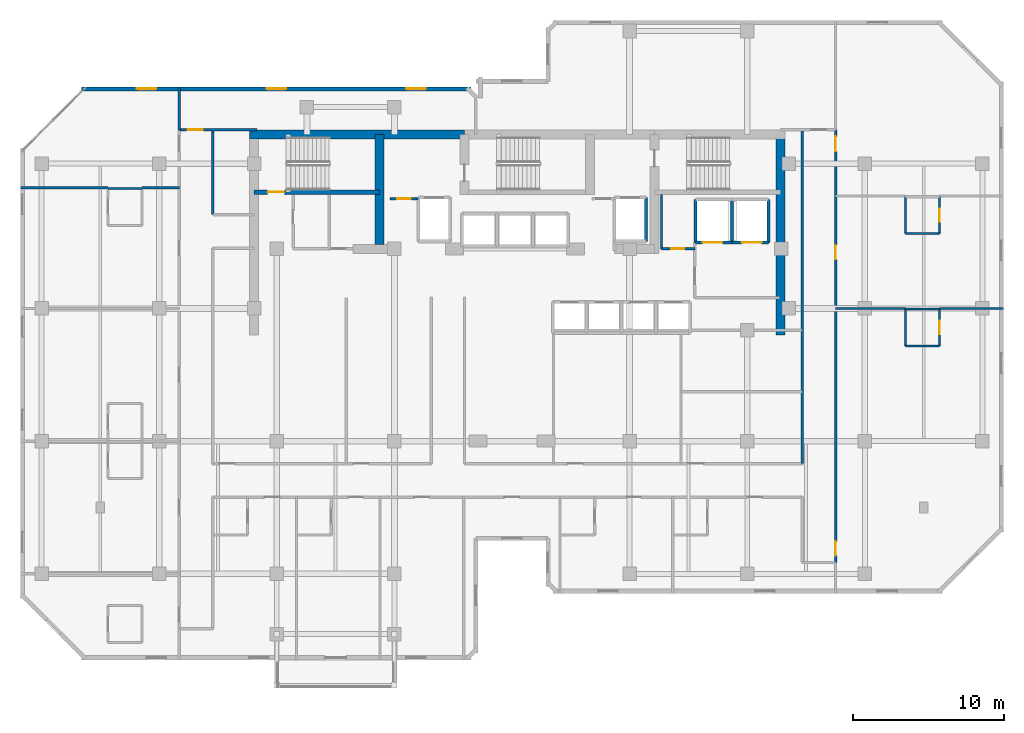
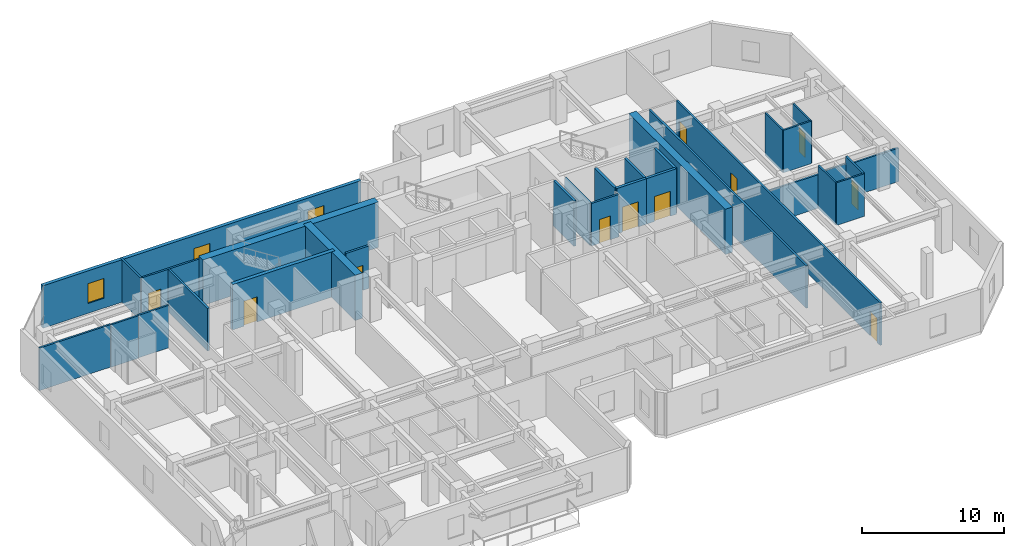
# One storey, part 7 of 11: 31 walls, 11 doors, 3 windows, 14 openings.
"""IFC4 building model written with IfcOpenShell, lengths in metres."""

from ifc_helpers import new_model, si_unit, direction, frame, frame_2d, origin, place, context, subcontext, project, spatial, rectangle, extrude, material, layer, layer_set, type_object, element, fill, save


model = new_model("IFC4")

# Units and contexts
model_context = context("Model", 3, precision=1e-05, world=origin(), true_north=direction((0.0, 1.0)))
body_context = subcontext(model_context, "Body", "Model", "MODEL_VIEW")
ifc_project = project(units=[si_unit("LENGTHUNIT", "METRE"), si_unit("AREAUNIT", "SQUARE_METRE"), si_unit("VOLUMEUNIT", "CUBIC_METRE"), si_unit("PLANEANGLEUNIT", "RADIAN"), si_unit("MASSUNIT", "GRAM", prefix="KILO")], contexts=[model_context])

# Site, building, storey
site_placement = place(None, origin())
site = spatial("IfcSite", under=ifc_project, at=site_placement, CompositionType="ELEMENT")
building_placement = place(site_placement, origin())
building = spatial("IfcBuilding", under=site, at=building_placement, Name="Kestravale Grand Hotel", CompositionType="ELEMENT")
storey_placement = place(building_placement, frame((0.0, 0.0, 200.699951171875)))
storey = spatial("IfcBuildingStorey", under=building, at=storey_placement, Name="L50", CompositionType="ELEMENT", Elevation=200.699951171875)

# Walls
ifc_material_1 = material(Name="Concrete f'c 50 MPa", Category="concrete")
ifc_layer_1 = layer(ifc_material_1, 0.60009765625)
ifc_layer_set_1 = layer_set([ifc_layer_1], Name="EW-CORE-600")
wall_type_1 = type_object("IfcWallType", Name="EW-CORE-600", PredefinedType="SHEAR", material=ifc_layer_set_1)
wall_1_placement = place(storey_placement, frame((21.60009765625, 40.320068359375, 0.0), z_axis=(0.0, 0.0, 1.0), x_axis=(1.0, 0.0, 0.0)))
element("IfcWall", 1, at=wall_1_placement, inside=storey, type_object=wall_type_1, Name="L50 core shear wall N1", PredefinedType="SHEAR", context=body_context, shape_type="SweptSolid", body=[
    extrude(rectangle(XDim=14.25, YDim=0.60009765625, at=frame_2d((7.125, 0.0))), origin(), (0.0, 0.0, 1.0), 3.900146484375),
])
wall_2_placement = place(storey_placement, frame((56.820068359375, 27.050048828125, 0.0), z_axis=(0.0, 0.0, 1.0), x_axis=(0.0, 1.0, 0.0)))
element("IfcWall", 2, at=wall_2_placement, inside=storey, type_object=wall_type_1, Name="L50 core shear wall E1", PredefinedType="SHEAR", context=body_context, shape_type="SweptSolid", body=[
    extrude(rectangle(XDim=13.570068359375, YDim=0.60009765625, at=frame_2d((6.78515625, 0.0))), origin(), (0.0, 0.0, 1.0), 3.900146484375),
])
wall_3_placement = place(storey_placement, frame((30.219970703125, 33.050048828125, 0.0), z_axis=(0.0, 0.0, 1.0), x_axis=(0.0, 1.0, 0.0)))
element("IfcWall", 3, at=wall_3_placement, inside=storey, type_object=wall_type_1, Name="L50 core shear wall X1", PredefinedType="SHEAR", context=body_context, shape_type="SweptSolid", body=[
    extrude(rectangle(XDim=7.27001953125, YDim=0.60009765625, at=frame_2d((3.635009765625, 0.0))), origin(), (0.0, 0.0, 1.0), 3.900146484375),
])

# Wall, openings, windows
ifc_material_2 = material(Name="Precast concrete f'c 45 MPa", Category="concrete")
ifc_layer_2 = layer(ifc_material_2, 0.280029296875)
ifc_layer_set_2 = layer_set([ifc_layer_2], Name="EW-PREC-280")
wall_type_2 = type_object("IfcWallType", Name="EW-PREC-280", PredefinedType="SOLIDWALL", material=ifc_layer_set_2)
wall_4_placement = place(storey_placement, frame((36.2900390625, 43.360107421875, 0.0), z_axis=(0.0, 0.0, 1.0), x_axis=(-1.0, 0.0, 0.0)))
wall_4 = element("IfcWall", 4, at=wall_4_placement, inside=storey, type_object=wall_type_2, Name="L50 fluted precast facade wall 17", PredefinedType="SOLIDWALL", context=body_context, shape_type="SweptSolid", body=[
    extrude(rectangle(XDim=25.830078125, YDim=0.280029296875, at=frame_2d((12.9150390625, 0.0))), origin(), (0.0, 0.0, 1.0), 3.650146484375),
])
opening_1_placement = place(wall_4_placement, frame((3.0048828125, 0.0, 0.85009765625)))
opening_1 = element("IfcOpeningElement", 5, at=opening_1_placement, cuts=wall_4, Name="Opening W-GUEST-1300", PredefinedType="OPENING", context=body_context, shape_type="SweptSolid", body=[
    extrude(rectangle(XDim=1.300048828125, YDim=1.699951171875, at=frame_2d((0.64990234375, 0.85009765625))), frame((0.0, 0.14990234375, 0.0), z_axis=(0.0, -1.0, 0.0), x_axis=(1.0, 0.0, 0.0)), (0.0, 0.0, 1.0), 0.300048828125),
])
opening_2_placement = place(wall_4_placement, frame((12.264892578125, 0.0, 0.85009765625)))
opening_2 = element("IfcOpeningElement", 6, at=opening_2_placement, cuts=wall_4, Name="Opening W-GUEST-1300", PredefinedType="OPENING", context=body_context, shape_type="SweptSolid", body=[
    extrude(rectangle(XDim=1.300048828125, YDim=1.699951171875, at=frame_2d((0.64990234375, 0.85009765625))), frame((0.0, 0.14990234375, 0.0), z_axis=(0.0, -1.0, 0.0), x_axis=(1.0, 0.0, 0.0)), (0.0, 0.0, 1.0), 0.300048828125),
])
opening_3_placement = place(wall_4_placement, frame((20.875, 0.0, 0.85009765625)))
opening_3 = element("IfcOpeningElement", 7, at=opening_3_placement, cuts=wall_4, Name="Opening W-GUEST-1300", PredefinedType="OPENING", context=body_context, shape_type="SweptSolid", body=[
    extrude(rectangle(XDim=1.300048828125, YDim=1.699951171875, at=frame_2d((0.64990234375, 0.85009765625))), frame((0.0, 0.14990234375, 0.0), z_axis=(0.0, -1.0, 0.0), x_axis=(1.0, 0.0, 0.0)), (0.0, 0.0, 1.0), 0.300048828125),
])
ifc_material_3 = material(Name="Insulated low-E double glazing in aluminium frame", Category="aluminium")
window_type = type_object("IfcWindowType", Name="W-GUEST-1300", PartitioningType="SINGLE_PANEL", PredefinedType="WINDOW", material=ifc_material_3)
window_1_placement = place(opening_1_placement, origin())
window_1 = element("IfcWindow", 8, at=window_1_placement, inside=storey, type_object=window_type, Name="L50 exterior window 17.1", OverallHeight=1.699951171875, OverallWidth=1.300048828125, PartitioningType="SINGLE_PANEL", PredefinedType="WINDOW", context=body_context, shape_type="SweptSolid", body=[
    extrude(rectangle(XDim=1.300048828125, YDim=1.699951171875, at=frame_2d((0.64990234375, 0.85009765625))), frame((0.0, 0.030029296875, 0.0), z_axis=(0.0, -1.0, 0.0), x_axis=(1.0, 0.0, 0.0)), (0.0, 0.0, 1.0), 0.06005859375),
])
fill(opening_1, window_1)
window_2_placement = place(opening_2_placement, origin())
window_2 = element("IfcWindow", 9, at=window_2_placement, inside=storey, type_object=window_type, Name="L50 exterior window 17.2", OverallHeight=1.699951171875, OverallWidth=1.300048828125, PartitioningType="SINGLE_PANEL", PredefinedType="WINDOW", context=body_context, shape_type="SweptSolid", body=[
    extrude(rectangle(XDim=1.300048828125, YDim=1.699951171875, at=frame_2d((0.64990234375, 0.85009765625))), frame((0.0, 0.030029296875, 0.0), z_axis=(0.0, -1.0, 0.0), x_axis=(1.0, 0.0, 0.0)), (0.0, 0.0, 1.0), 0.06005859375),
])
fill(opening_2, window_2)
window_3_placement = place(opening_3_placement, origin())
window_3 = element("IfcWindow", 10, at=window_3_placement, inside=storey, type_object=window_type, Name="L50 exterior window 17.3", OverallHeight=1.699951171875, OverallWidth=1.300048828125, PartitioningType="SINGLE_PANEL", PredefinedType="WINDOW", context=body_context, shape_type="SweptSolid", body=[
    extrude(rectangle(XDim=1.300048828125, YDim=1.699951171875, at=frame_2d((0.64990234375, 0.85009765625))), frame((0.0, 0.030029296875, 0.0), z_axis=(0.0, -1.0, 0.0), x_axis=(1.0, 0.0, 0.0)), (0.0, 0.0, 1.0), 0.06005859375),
])
fill(opening_3, window_3)

# Wall, opening, door
ifc_material_4 = material(Name="Concrete f'c 45 MPa", Category="concrete")
ifc_layer_3 = layer(ifc_material_4, 0.300048828125)
ifc_layer_set_3 = layer_set([ifc_layer_3], Name="EW-STAIR-300")
wall_type_3 = type_object("IfcWallType", Name="EW-STAIR-300", PredefinedType="SHEAR", material=ifc_layer_set_3)
wall_5_placement = place(storey_placement, frame((21.89990234375, 36.52001953125, 0.0), z_axis=(0.0, 0.0, 1.0), x_axis=(1.0, 0.0, 0.0)))
wall_5 = element("IfcWall", 11, at=wall_5_placement, inside=storey, type_object=wall_type_3, Name="L50 stair enclosure shear wall SST1", PredefinedType="SHEAR", context=body_context, shape_type="SweptSolid", body=[
    extrude(rectangle(XDim=8.320068359375, YDim=0.300048828125, at=frame_2d((4.16015625, 0.0))), origin(), (0.0, 0.0, 1.0), 3.900146484375),
])
opening_4_placement = place(wall_5_placement, frame((0.89990234375, 0.0, 0.0)))
opening_4 = element("IfcOpeningElement", 12, at=opening_4_placement, cuts=wall_5, Name="Opening D-ST-1100", PredefinedType="OPENING", context=body_context, shape_type="SweptSolid", body=[
    extrude(rectangle(XDim=1.10009765625, YDim=2.14990234375, at=frame_2d((0.550048828125, 1.074951171875))), frame((0.0, 0.159912109375, 0.0), z_axis=(0.0, -1.0, 0.0), x_axis=(1.0, 0.0, 0.0)), (0.0, 0.0, 1.0), 0.320068359375),
])
ifc_material_5 = material(Name="Galvanised 90-minute fire-rated steel stair door", Category="steel")
door_type_1 = type_object("IfcDoorType", Name="D-ST-1100", OperationType="NOTDEFINED", PredefinedType="DOOR", material=ifc_material_5)
door_1_placement = place(opening_4_placement, origin())
door_1 = element("IfcDoor", 13, at=door_1_placement, inside=storey, type_object=door_type_1, Name="L50 Stair ST-1 fire door", OperationType="SINGLE_SWING_RIGHT", OverallHeight=2.14990234375, OverallWidth=1.10009765625, PredefinedType="DOOR", context=body_context, shape_type="SweptSolid", body=[
    extrude(rectangle(XDim=1.10009765625, YDim=2.14990234375, at=frame_2d((0.550048828125, 1.074951171875))), frame((0.0, 0.02490234375, 0.0), z_axis=(0.0, -1.0, 0.0), x_axis=(1.0, 0.0, 0.0)), (0.0, 0.0, 1.0), 0.050048828125),
])
fill(opening_4, door_1)

ifc_material_6 = material(Name="Acoustic fire-rated gypsum board partition", Category="other")
ifc_layer_4 = layer(ifc_material_6, 0.159912109375)
ifc_layer_set_4 = layer_set([ifc_layer_4], Name="IW-CORR-160")
wall_type_4 = type_object("IfcWallType", Name="IW-CORR-160", PredefinedType="PARTITIONING", material=ifc_layer_set_4)
wall_6_placement = place(storey_placement, frame((48.919921875, 32.75, 0.0), z_axis=(0.0, 0.0, 1.0), x_axis=(1.0, 0.0, 0.0)))
wall_6 = element("IfcWall", 14, at=wall_6_placement, inside=storey, type_object=wall_type_4, Name="W-L50-CES", PredefinedType="PARTITIONING", context=body_context, shape_type="SweptSolid", body=[
    extrude(rectangle(XDim=2.2001953125, YDim=0.159912109375, at=frame_2d((1.10009765625, 0.0))), origin(), (0.0, 0.0, 1.0), 3.650146484375),
])
opening_5_placement = place(wall_6_placement, frame((0.64990234375, 0.0, 0.0)))
opening_5 = element("IfcOpeningElement", 15, at=opening_5_placement, cuts=wall_6, Name="Opening D-SH-860", PredefinedType="OPENING", context=body_context, shape_type="SweptSolid", body=[
    extrude(rectangle(XDim=0.860107421875, YDim=2.050048828125, at=frame_2d((0.43017578125, 1.02490234375))), frame((0.0, 0.08984375, 0.0), z_axis=(0.0, -1.0, 0.0), x_axis=(1.0, 0.0, 0.0)), (0.0, 0.0, 1.0), 0.179931640625),
])
ifc_material_7 = material(Name="Galvanised 90-minute riser fire door", Category="steel")
door_type_2 = type_object("IfcDoorType", Name="D-SH-860", OperationType="NOTDEFINED", PredefinedType="DOOR", material=ifc_material_7)
door_2_placement = place(opening_5_placement, origin())
door_2 = element("IfcDoor", 16, at=door_2_placement, inside=storey, type_object=door_type_2, Name="L50 CSTO1 door", OperationType="SINGLE_SWING_RIGHT", OverallHeight=2.050048828125, OverallWidth=0.860107421875, PredefinedType="DOOR", context=body_context, shape_type="SweptSolid", body=[
    extrude(rectangle(XDim=0.860107421875, YDim=2.050048828125, at=frame_2d((0.43017578125, 1.02490234375))), frame((0.0, 0.02490234375, 0.0), z_axis=(0.0, -1.0, 0.0), x_axis=(1.0, 0.0, 0.0)), (0.0, 0.0, 1.0), 0.050048828125),
])
fill(opening_5, door_2)

# Wall
wall_7_placement = place(storey_placement, frame((19.159912109375, 35.02001953125, 0.0), z_axis=(0.0, 0.0, 1.0), x_axis=(0.0, 1.0, 0.0)))
element("IfcWall", 17, at=wall_7_placement, inside=storey, type_object=wall_type_4, Name="W-L50-SW-EN", PredefinedType="PARTITIONING", context=body_context, shape_type="SweptSolid", body=[
    extrude(rectangle(XDim=5.6298828125, YDim=0.159912109375, at=frame_2d((2.81494140625, 0.0))), origin(), (0.0, 0.0, 1.0), 3.650146484375),
])

# Wall, openings, doors
wall_8_placement = place(storey_placement, frame((60.4599609375, 11.949951171875, 0.0), z_axis=(0.0, 0.0, 1.0), x_axis=(0.0, 1.0, 0.0)))
wall_8 = element("IfcWall", 18, at=wall_8_placement, inside=storey, type_object=wall_type_4, Name="W-L50-SE-E", PredefinedType="PARTITIONING", context=body_context, shape_type="SweptSolid", body=[
    extrude(rectangle(XDim=28.699951171875, YDim=0.159912109375, at=frame_2d((14.35009765625, 0.0))), origin(), (0.0, 0.0, 1.0), 3.650146484375),
])
opening_6_placement = place(wall_8_placement, frame((0.4599609375, 0.0, 0.0)))
opening_6 = element("IfcOpeningElement", 19, at=opening_6_placement, cuts=wall_8, Name="Opening D-GUEST-950", PredefinedType="OPENING", context=body_context, shape_type="SweptSolid", body=[
    extrude(rectangle(XDim=0.949951171875, YDim=2.10009765625, at=frame_2d((0.47509765625, 1.050048828125))), frame((0.0, 0.08984375, 0.0), z_axis=(0.0, -1.0, 0.0), x_axis=(1.0, 0.0, 0.0)), (0.0, 0.0, 1.0), 0.179931640625),
])
opening_7_placement = place(wall_8_placement, frame((20.10009765625, 0.0, 0.0)))
opening_7 = element("IfcOpeningElement", 20, at=opening_7_placement, cuts=wall_8, Name="Opening D-GUEST-950", PredefinedType="OPENING", context=body_context, shape_type="SweptSolid", body=[
    extrude(rectangle(XDim=0.949951171875, YDim=2.10009765625, at=frame_2d((0.47509765625, 1.050048828125))), frame((0.0, 0.08984375, 0.0), z_axis=(0.0, -1.0, 0.0), x_axis=(1.0, 0.0, 0.0)), (0.0, 0.0, 1.0), 0.179931640625),
])
opening_8_placement = place(wall_8_placement, frame((27.260009765625, 0.0, 0.0)))
opening_8 = element("IfcOpeningElement", 21, at=opening_8_placement, cuts=wall_8, Name="Opening D-GUEST-1000", PredefinedType="OPENING", context=body_context, shape_type="SweptSolid", body=[
    extrude(rectangle(XDim=1.0, YDim=2.14990234375, at=frame_2d((0.5, 1.074951171875))), frame((0.0, 0.08984375, 0.0), z_axis=(0.0, -1.0, 0.0), x_axis=(1.0, 0.0, 0.0)), (0.0, 0.0, 1.0), 0.179931640625),
])
ifc_material_8 = material(Name="Accessible walnut veneer hotel entrance fire door", Category="wood")
door_type_3 = type_object("IfcDoorType", Name="D-GUEST-1000", OperationType="NOTDEFINED", PredefinedType="DOOR", material=ifc_material_8)
door_3_placement = place(opening_8_placement, origin())
door_3 = element("IfcDoor", 22, at=door_3_placement, inside=storey, type_object=door_type_3, Name="D-L50-AMEW", OperationType="SINGLE_SWING_RIGHT", OverallHeight=2.14990234375, OverallWidth=1.0, PredefinedType="DOOR", context=body_context, shape_type="SweptSolid", body=[
    extrude(rectangle(XDim=1.0, YDim=2.14990234375, at=frame_2d((0.5, 1.074951171875))), frame((0.0, 0.02490234375, 0.0), z_axis=(0.0, -1.0, 0.0), x_axis=(1.0, 0.0, 0.0)), (0.0, 0.0, 1.0), 0.050048828125),
])
fill(opening_8, door_3)
ifc_material_9 = material(Name="Walnut veneer hotel guestroom entrance fire door", Category="wood")
door_type_4 = type_object("IfcDoorType", Name="D-GUEST-950", OperationType="NOTDEFINED", PredefinedType="DOOR", material=ifc_material_9)
door_4_placement = place(opening_6_placement, origin())
door_4 = element("IfcDoor", 23, at=door_4_placement, inside=storey, type_object=door_type_4, Name="D-L50-U09-ENT", OperationType="SINGLE_SWING_LEFT", OverallHeight=2.10009765625, OverallWidth=0.949951171875, PredefinedType="DOOR", context=body_context, shape_type="SweptSolid", body=[
    extrude(rectangle(XDim=0.949951171875, YDim=2.10009765625, at=frame_2d((0.47509765625, 1.050048828125))), frame((0.0, 0.02490234375, 0.0), z_axis=(0.0, -1.0, 0.0), x_axis=(1.0, 0.0, 0.0)), (0.0, 0.0, 1.0), 0.050048828125),
])
fill(opening_6, door_4)
door_5_placement = place(opening_7_placement, origin())
door_5 = element("IfcDoor", 24, at=door_5_placement, inside=storey, type_object=door_type_4, Name="D-L50-U10-ENT", OperationType="SINGLE_SWING_LEFT", OverallHeight=2.10009765625, OverallWidth=0.949951171875, PredefinedType="DOOR", context=body_context, shape_type="SweptSolid", body=[
    extrude(rectangle(XDim=0.949951171875, YDim=2.10009765625, at=frame_2d((0.47509765625, 1.050048828125))), frame((0.0, 0.02490234375, 0.0), z_axis=(0.0, -1.0, 0.0), x_axis=(1.0, 0.0, 0.0)), (0.0, 0.0, 1.0), 0.050048828125),
])
fill(opening_7, door_5)

# Wall
wall_9_placement = place(storey_placement, frame((58.239990234375, 18.510009765625, 0.0), z_axis=(0.0, 0.0, 1.0), x_axis=(0.0, 1.0, 0.0)))
element("IfcWall", 25, at=wall_9_placement, inside=storey, type_object=wall_type_4, Name="W-L50-SE-WU", PredefinedType="PARTITIONING", context=body_context, shape_type="SweptSolid", body=[
    extrude(rectangle(XDim=22.139892578125, YDim=0.159912109375, at=frame_2d((11.06982421875, 0.0))), origin(), (0.0, 0.0, 1.0), 3.650146484375),
])

# Wall, opening, door
ifc_material_10 = material(Name="Fire-rated gypsum board on steel studs with mineral wool", Category="steel")
ifc_layer_5 = layer(ifc_material_10, 0.179931640625)
ifc_layer_set_5 = layer_set([ifc_layer_5], Name="IW-FSAE-180")
wall_type_5 = type_object("IfcWallType", Name="IW-FSAE-180", PredefinedType="PARTITIONING", material=ifc_layer_set_5)
wall_10_placement = place(storey_placement, frame((30.89990234375, 36.080078125, 0.0), z_axis=(0.0, 0.0, 1.0), x_axis=(1.0, 0.0, 0.0)))
wall_10 = element("IfcWall", 26, at=wall_10_placement, inside=storey, type_object=wall_type_5, Name="L50 FSAE Lobby 1 smoke barrier", PredefinedType="PARTITIONING", context=body_context, shape_type="SweptSolid", body=[
    extrude(rectangle(XDim=1.85009765625, YDim=0.179931640625, at=frame_2d((0.925048828125, 0.0))), origin(), (0.0, 0.0, 1.0), 3.650146484375),
])
opening_9_placement = place(wall_10_placement, frame((0.47998046875, 0.0, 0.0)))
opening_9 = element("IfcOpeningElement", 27, at=opening_9_placement, cuts=wall_10, Name="Opening D-FSAE-1000", PredefinedType="OPENING", context=body_context, shape_type="SweptSolid", body=[
    extrude(rectangle(XDim=0.89990234375, YDim=2.14990234375, at=frame_2d((0.449951171875, 1.074951171875))), frame((0.0, 0.099853515625, 0.0), z_axis=(0.0, -1.0, 0.0), x_axis=(1.0, 0.0, 0.0)), (0.0, 0.0, 1.0), 0.199951171875),
])
ifc_material_11 = material(Name="Smoke-gasketed FSAE lobby fire door", Category="steel")
door_type_5 = type_object("IfcDoorType", Name="D-FSAE-1000", OperationType="NOTDEFINED", PredefinedType="DOOR", material=ifc_material_11)
door_6_placement = place(opening_9_placement, origin())
door_6 = element("IfcDoor", 28, at=door_6_placement, inside=storey, type_object=door_type_5, Name="L50 FSAE Lobby 1 fire door", OperationType="SINGLE_SWING_RIGHT", OverallHeight=2.14990234375, OverallWidth=0.89990234375, PredefinedType="DOOR", context=body_context, shape_type="SweptSolid", body=[
    extrude(rectangle(XDim=0.89990234375, YDim=2.14990234375, at=frame_2d((0.449951171875, 1.074951171875))), frame((0.0, 0.02490234375, 0.0), z_axis=(0.0, -1.0, 0.0), x_axis=(1.0, 0.0, 0.0)), (0.0, 0.0, 1.0), 0.050048828125),
])
fill(opening_9, door_6)

# Walls
ifc_material_12 = material(Name="Moisture-resistant tile-backer plumbing chase wall", Category="other")
ifc_layer_6 = layer(ifc_material_12, 0.139892578125)
ifc_layer_set_6 = layer_set([ifc_layer_6], Name="IW-PLB-140")
wall_type_6 = type_object("IfcWallType", Name="IW-PLB-140", PredefinedType="PLUMBINGWALL", material=ifc_layer_set_6)
wall_11_placement = place(storey_placement, frame((12.199951171875, 36.760009765625, 0.0), z_axis=(0.0, 0.0, 1.0), x_axis=(1.0, 0.0, 0.0)))
element("IfcWall", 29, at=wall_11_placement, inside=storey, type_object=wall_type_6, Name="W-L50-U08-BN", PredefinedType="PLUMBINGWALL", context=body_context, shape_type="SweptSolid", body=[
    extrude(rectangle(XDim=2.25, YDim=0.139892578125, at=frame_2d((1.125, 0.0))), origin(), (0.0, 0.0, 1.0), 3.650146484375),
])
wall_12_placement = place(storey_placement, frame((65.10009765625, 26.31005859375, 0.0), z_axis=(0.0, 0.0, 1.0), x_axis=(0.0, 1.0, 0.0)))
element("IfcWall", 30, at=wall_12_placement, inside=storey, type_object=wall_type_6, Name="W-L50-U09-BW", PredefinedType="PLUMBINGWALL", context=body_context, shape_type="SweptSolid", body=[
    extrude(rectangle(XDim=2.449951171875, YDim=0.139892578125, at=frame_2d((1.22509765625, 0.0))), origin(), (0.0, 0.0, 1.0), 3.650146484375),
])

# Wall, opening, door
wall_13_placement = place(storey_placement, frame((67.35009765625, 26.31005859375, 0.0), z_axis=(0.0, 0.0, 1.0), x_axis=(0.0, 1.0, 0.0)))
wall_13 = element("IfcWall", 31, at=wall_13_placement, inside=storey, type_object=wall_type_6, Name="W-L50-U09-BE", PredefinedType="PLUMBINGWALL", context=body_context, shape_type="SweptSolid", body=[
    extrude(rectangle(XDim=2.449951171875, YDim=0.139892578125, at=frame_2d((1.22509765625, 0.0))), origin(), (0.0, 0.0, 1.0), 3.650146484375),
])
opening_10_placement = place(wall_13_placement, frame((0.784912109375, 0.0, 0.0)))
opening_10 = element("IfcOpeningElement", 32, at=opening_10_placement, cuts=wall_13, Name="Opening D-BATH-880", PredefinedType="OPENING", context=body_context, shape_type="SweptSolid", body=[
    extrude(rectangle(XDim=0.8798828125, YDim=2.050048828125, at=frame_2d((0.43994140625, 1.02490234375))), frame((0.0, 0.079833984375, 0.0), z_axis=(0.0, -1.0, 0.0), x_axis=(1.0, 0.0, 0.0)), (0.0, 0.0, 1.0), 0.159912109375),
])
ifc_material_13 = material(Name="Moisture-sealed walnut en-suite bathroom door", Category="wood")
door_type_6 = type_object("IfcDoorType", Name="D-BATH-880", OperationType="NOTDEFINED", PredefinedType="DOOR", material=ifc_material_13)
door_7_placement = place(opening_10_placement, origin())
door_7 = element("IfcDoor", 33, at=door_7_placement, inside=storey, type_object=door_type_6, Name="D-L50-U09-BATH", OperationType="SINGLE_SWING_RIGHT", OverallHeight=2.050048828125, OverallWidth=0.8798828125, PredefinedType="DOOR", context=body_context, shape_type="SweptSolid", body=[
    extrude(rectangle(XDim=0.8798828125, YDim=2.050048828125, at=frame_2d((0.43994140625, 1.02490234375))), frame((0.0, 0.02490234375, 0.0), z_axis=(0.0, -1.0, 0.0), x_axis=(1.0, 0.0, 0.0)), (0.0, 0.0, 1.0), 0.050048828125),
])
fill(opening_10, door_7)

# Walls
wall_14_placement = place(storey_placement, frame((65.10009765625, 26.31005859375, 0.0), z_axis=(0.0, 0.0, 1.0), x_axis=(1.0, 0.0, 0.0)))
element("IfcWall", 34, at=wall_14_placement, inside=storey, type_object=wall_type_6, Name="W-L50-U09-BS", PredefinedType="PLUMBINGWALL", context=body_context, shape_type="SweptSolid", body=[
    extrude(rectangle(XDim=2.25, YDim=0.139892578125, at=frame_2d((1.125, 0.0))), origin(), (0.0, 0.0, 1.0), 3.650146484375),
])
wall_15_placement = place(storey_placement, frame((65.10009765625, 28.760009765625, 0.0), z_axis=(0.0, 0.0, 1.0), x_axis=(1.0, 0.0, 0.0)))
element("IfcWall", 35, at=wall_15_placement, inside=storey, type_object=wall_type_6, Name="W-L50-U09-BN", PredefinedType="PLUMBINGWALL", context=body_context, shape_type="SweptSolid", body=[
    extrude(rectangle(XDim=2.25, YDim=0.139892578125, at=frame_2d((1.125, 0.0))), origin(), (0.0, 0.0, 1.0), 3.0380859375),
])
wall_16_placement = place(storey_placement, frame((65.10009765625, 33.760009765625, 0.0), z_axis=(0.0, 0.0, 1.0), x_axis=(0.0, 1.0, 0.0)))
element("IfcWall", 36, at=wall_16_placement, inside=storey, type_object=wall_type_6, Name="W-L50-U10-BW", PredefinedType="PLUMBINGWALL", context=body_context, shape_type="SweptSolid", body=[
    extrude(rectangle(XDim=2.449951171875, YDim=0.139892578125, at=frame_2d((1.22509765625, 0.0))), origin(), (0.0, 0.0, 1.0), 3.650146484375),
])

# Wall, opening, door
wall_17_placement = place(storey_placement, frame((67.35009765625, 33.760009765625, 0.0), z_axis=(0.0, 0.0, 1.0), x_axis=(0.0, 1.0, 0.0)))
wall_17 = element("IfcWall", 37, at=wall_17_placement, inside=storey, type_object=wall_type_6, Name="W-L50-U10-BE", PredefinedType="PLUMBINGWALL", context=body_context, shape_type="SweptSolid", body=[
    extrude(rectangle(XDim=2.449951171875, YDim=0.139892578125, at=frame_2d((1.22509765625, 0.0))), origin(), (0.0, 0.0, 1.0), 3.650146484375),
])
opening_11_placement = place(wall_17_placement, frame((0.784912109375, 0.0, 0.0)))
opening_11 = element("IfcOpeningElement", 38, at=opening_11_placement, cuts=wall_17, Name="Opening D-BATH-880", PredefinedType="OPENING", context=body_context, shape_type="SweptSolid", body=[
    extrude(rectangle(XDim=0.8798828125, YDim=2.050048828125, at=frame_2d((0.43994140625, 1.02490234375))), frame((0.0, 0.079833984375, 0.0), z_axis=(0.0, -1.0, 0.0), x_axis=(1.0, 0.0, 0.0)), (0.0, 0.0, 1.0), 0.159912109375),
])
door_8_placement = place(opening_11_placement, origin())
door_8 = element("IfcDoor", 39, at=door_8_placement, inside=storey, type_object=door_type_6, Name="D-L50-U10-BATH", OperationType="SINGLE_SWING_RIGHT", OverallHeight=2.050048828125, OverallWidth=0.8798828125, PredefinedType="DOOR", context=body_context, shape_type="SweptSolid", body=[
    extrude(rectangle(XDim=0.8798828125, YDim=2.050048828125, at=frame_2d((0.43994140625, 1.02490234375))), frame((0.0, 0.02490234375, 0.0), z_axis=(0.0, -1.0, 0.0), x_axis=(1.0, 0.0, 0.0)), (0.0, 0.0, 1.0), 0.050048828125),
])
fill(opening_11, door_8)

# Walls
wall_18_placement = place(storey_placement, frame((65.10009765625, 33.760009765625, 0.0), z_axis=(0.0, 0.0, 1.0), x_axis=(1.0, 0.0, 0.0)))
element("IfcWall", 40, at=wall_18_placement, inside=storey, type_object=wall_type_6, Name="W-L50-U10-BS", PredefinedType="PLUMBINGWALL", context=body_context, shape_type="SweptSolid", body=[
    extrude(rectangle(XDim=2.25, YDim=0.139892578125, at=frame_2d((1.125, 0.0))), origin(), (0.0, 0.0, 1.0), 3.650146484375),
])
ifc_material_14 = material(Name="Concrete f'c 45 MPa", Category="concrete")
ifc_layer_7 = layer(ifc_material_14, 0.199951171875)
ifc_layer_set_7 = layer_set([ifc_layer_7], Name="IW-SHAFT-200")
wall_type_7 = type_object("IfcWallType", Name="IW-SHAFT-200", PredefinedType="SHEAR", material=ifc_layer_set_7)
for number, where, z_axis, x_axis, name in (
    (41, (51.179931640625, 33.169921875, 0.0), (0.0, 0.0, 1.0), (0.0, 1.0, 0.0), "L50 SL-1 west shaft wall"),
    (42, (53.60009765625, 33.169921875, 0.0), (0.0, 0.0, 1.0), (0.0, 1.0, 0.0), "L50 SL-2 west shaft wall"),
    (43, (56.02001953125, 33.169921875, 0.0), (0.0, 0.0, 1.0), (0.0, 1.0, 0.0), "L50 SL-2 east shaft wall"),
):
    element("IfcWall", number, at=place(storey_placement, frame(where, z_axis=z_axis, x_axis=x_axis)), inside=storey, type_object=wall_type_7, Name=name, PredefinedType="SHEAR", context=body_context, shape_type="SweptSolid", body=[
        extrude(rectangle(XDim=2.860107421875, YDim=0.199951171875, at=frame_2d((1.43017578125, 0.0))), origin(), (0.0, 0.0, 1.0), 3.900146484375),
    ])
wall_19_placement = place(storey_placement, frame((47.89501953125, 33.2451171875, 0.0), z_axis=(0.0, 0.0, 1.0), x_axis=(0.0, 1.0, 0.0)))
element("IfcWall", 44, at=wall_19_placement, inside=storey, type_object=wall_type_7, Name="L50 FL-2 east shaft wall", PredefinedType="SHEAR", context=body_context, shape_type="SweptSolid", body=[
    extrude(rectangle(XDim=2.909912109375, YDim=0.199951171875, at=frame_2d((1.455078125, 0.0))), origin(), (0.0, 0.0, 1.0), 3.900146484375),
])

# Wall, opening, door
ifc_material_15 = material(Name="Concrete f'c 45 MPa", Category="concrete")
ifc_layer_8 = layer(ifc_material_15, 0.219970703125)
ifc_layer_set_8 = layer_set([ifc_layer_8], Name="IW-SHAFT-220")
wall_type_8 = type_object("IfcWallType", Name="IW-SHAFT-220", PredefinedType="SHEAR", material=ifc_layer_set_8)
wall_20_placement = place(storey_placement, frame((51.179931640625, 33.169921875, 0.0), z_axis=(0.0, 0.0, 1.0), x_axis=(1.0, 0.0, 0.0)))
wall_20 = element("IfcWall", 45, at=wall_20_placement, inside=storey, type_object=wall_type_8, Name="L50 SL-1 south shaft wall", PredefinedType="SHEAR", context=body_context, shape_type="SweptSolid", body=[
    extrude(rectangle(XDim=2.420166015625, YDim=0.219970703125, at=frame_2d((1.2099609375, 0.0))), origin(), (0.0, 0.0, 1.0), 3.900146484375),
])
opening_12_placement = place(wall_20_placement, frame((0.469970703125, 0.0, 0.0)))
opening_12 = element("IfcOpeningElement", 46, at=opening_12_placement, cuts=wall_20, Name="Opening LD-SVC-1300", PredefinedType="OPENING", context=body_context, shape_type="SweptSolid", body=[
    extrude(rectangle(XDim=1.300048828125, YDim=2.14990234375, at=frame_2d((0.64990234375, 1.074951171875))), frame((0.0, 0.119873046875, 0.0), z_axis=(0.0, -1.0, 0.0), x_axis=(1.0, 0.0, 0.0)), (0.0, 0.0, 1.0), 0.239990234375),
])
ifc_material_16 = material(Name="Heavy-duty service sliding elevator landing door", Category="steel")
door_type_7 = type_object("IfcDoorType", Name="LD-SVC-1300", OperationType="NOTDEFINED", PredefinedType="DOOR", material=ifc_material_16)
door_9_placement = place(opening_12_placement, origin())
door_9 = element("IfcDoor", 47, at=door_9_placement, inside=storey, type_object=door_type_7, Name="L50 SL-1 elevator landing sliding door", OperationType="DOUBLE_DOOR_SLIDING", OverallHeight=2.14990234375, OverallWidth=1.300048828125, PredefinedType="DOOR", context=body_context, shape_type="SweptSolid", body=[
    extrude(rectangle(XDim=1.300048828125, YDim=2.14990234375, at=frame_2d((0.64990234375, 1.074951171875))), frame((0.0, 0.02490234375, 0.0), z_axis=(0.0, -1.0, 0.0), x_axis=(1.0, 0.0, 0.0)), (0.0, 0.0, 1.0), 0.050048828125),
])
fill(opening_12, door_9)

wall_21_placement = place(storey_placement, frame((53.60009765625, 33.169921875, 0.0), z_axis=(0.0, 0.0, 1.0), x_axis=(1.0, 0.0, 0.0)))
wall_21 = element("IfcWall", 48, at=wall_21_placement, inside=storey, type_object=wall_type_8, Name="L50 SL-2 south shaft wall", PredefinedType="SHEAR", context=body_context, shape_type="SweptSolid", body=[
    extrude(rectangle(XDim=2.419921875, YDim=0.219970703125, at=frame_2d((1.2099609375, 0.0))), origin(), (0.0, 0.0, 1.0), 3.900146484375),
])
opening_13_placement = place(wall_21_placement, frame((0.64990234375, 0.0, 0.0)))
opening_13 = element("IfcOpeningElement", 49, at=opening_13_placement, cuts=wall_21, Name="Opening LD-SVC-1300", PredefinedType="OPENING", context=body_context, shape_type="SweptSolid", body=[
    extrude(rectangle(XDim=1.300048828125, YDim=2.14990234375, at=frame_2d((0.64990234375, 1.074951171875))), frame((0.0, 0.119873046875, 0.0), z_axis=(0.0, -1.0, 0.0), x_axis=(1.0, 0.0, 0.0)), (0.0, 0.0, 1.0), 0.239990234375),
])
door_10_placement = place(opening_13_placement, origin())
door_10 = element("IfcDoor", 50, at=door_10_placement, inside=storey, type_object=door_type_7, Name="L50 SL-2 elevator landing sliding door", OperationType="DOUBLE_DOOR_SLIDING", OverallHeight=2.14990234375, OverallWidth=1.300048828125, PredefinedType="DOOR", context=body_context, shape_type="SweptSolid", body=[
    extrude(rectangle(XDim=1.300048828125, YDim=2.14990234375, at=frame_2d((0.64990234375, 1.074951171875))), frame((0.0, 0.02490234375, 0.0), z_axis=(0.0, -1.0, 0.0), x_axis=(1.0, 0.0, 0.0)), (0.0, 0.0, 1.0), 0.050048828125),
])
fill(opening_13, door_10)

# Wall
ifc_material_17 = material(Name="Double-stud STC 52 acoustic demising partition", Category="other")
ifc_layer_9 = layer(ifc_material_17, 0.14990234375)
ifc_layer_set_9 = layer_set([ifc_layer_9], Name="IW-UNIT-150")
wall_type_9 = type_object("IfcWallType", Name="IW-UNIT-150", PredefinedType="PARTITIONING", material=ifc_layer_set_9)
wall_22_placement = place(storey_placement, frame((48.919921875, 32.75, 0.0), z_axis=(0.0, 0.0, 1.0), x_axis=(0.0, 1.0, 0.0)))
element("IfcWall", 51, at=wall_22_placement, inside=storey, type_object=wall_type_9, Name="W-L50-CEW", PredefinedType="PARTITIONING", context=body_context, shape_type="SweptSolid", body=[
    extrude(rectangle(XDim=3.6201171875, YDim=0.14990234375, at=frame_2d((1.81005859375, 0.0))), origin(), (0.0, 0.0, 1.0), 3.650146484375),
])

# Wall, opening, door
wall_23_placement = place(storey_placement, frame((16.93994140625, 40.64990234375, 0.0), z_axis=(0.0, 0.0, 1.0), x_axis=(1.0, 0.0, 0.0)))
wall_23 = element("IfcWall", 52, at=wall_23_placement, inside=storey, type_object=wall_type_9, Name="W-L50-SW-N", PredefinedType="PARTITIONING", context=body_context, shape_type="SweptSolid", body=[
    extrude(rectangle(XDim=5.16015625, YDim=0.14990234375, at=frame_2d((2.580078125, 0.0))), origin(), (0.0, 0.0, 1.0), 3.650146484375),
])
opening_14_placement = place(wall_23_placement, frame((0.550048828125, 0.0, 0.0)))
opening_14 = element("IfcOpeningElement", 53, at=opening_14_placement, cuts=wall_23, Name="Opening D-GUEST-1000", PredefinedType="OPENING", context=body_context, shape_type="SweptSolid", body=[
    extrude(rectangle(XDim=1.0, YDim=2.14990234375, at=frame_2d((0.5, 1.074951171875))), frame((0.0, 0.0849609375, 0.0), z_axis=(0.0, -1.0, 0.0), x_axis=(1.0, 0.0, 0.0)), (0.0, 0.0, 1.0), 0.169921875),
])
door_11_placement = place(opening_14_placement, origin())
door_11 = element("IfcDoor", 54, at=door_11_placement, inside=storey, type_object=door_type_3, Name="L50 NW Gallery Door", OperationType="SINGLE_SWING_RIGHT", OverallHeight=2.14990234375, OverallWidth=1.0, PredefinedType="DOOR", context=body_context, shape_type="SweptSolid", body=[
    extrude(rectangle(XDim=1.0, YDim=2.14990234375, at=frame_2d((0.5, 1.074951171875))), frame((0.0, 0.02490234375, 0.0), z_axis=(0.0, -1.0, 0.0), x_axis=(1.0, 0.0, 0.0)), (0.0, 0.0, 1.0), 0.050048828125),
])
fill(opening_14, door_11)

# Walls
wall_24_placement = place(storey_placement, frame((16.93994140625, 40.64990234375, 0.0), z_axis=(0.0, 0.0, 1.0), x_axis=(0.0, 1.0, 0.0)))
element("IfcWall", 55, at=wall_24_placement, inside=storey, type_object=wall_type_9, Name="W-L50-NGW-W", PredefinedType="PARTITIONING", context=body_context, shape_type="SweptSolid", body=[
    extrude(rectangle(XDim=2.830078125, YDim=0.14990234375, at=frame_2d((1.4150390625, 0.0))), origin(), (0.0, 0.0, 1.0), 3.650146484375),
])
wall_25_placement = place(storey_placement, frame((6.419921875, 36.800048828125, 0.0), z_axis=(0.0, 0.0, 1.0), x_axis=(1.0, 0.0, 0.0)))
element("IfcWall", 56, at=wall_25_placement, inside=storey, type_object=wall_type_9, Name="W-L50-WW-4", PredefinedType="PARTITIONING", context=body_context, shape_type="SweptSolid", body=[
    extrude(rectangle(XDim=5.780029296875, YDim=0.14990234375, at=frame_2d((2.89013671875, 0.0))), origin(), (0.0, 0.0, 1.0), 3.650146484375),
])
wall_26_placement = place(storey_placement, frame((14.449951171875, 36.800048828125, 0.0), z_axis=(0.0, 0.0, 1.0), x_axis=(1.0, 0.0, 0.0)))
element("IfcWall", 57, at=wall_26_placement, inside=storey, type_object=wall_type_9, Name="W-L50-WW-4", PredefinedType="PARTITIONING", context=body_context, shape_type="SweptSolid", body=[
    extrude(rectangle(XDim=2.489990234375, YDim=0.14990234375, at=frame_2d((1.2451171875, 0.0))), origin(), (0.0, 0.0, 1.0), 3.650146484375),
])
wall_27_placement = place(storey_placement, frame((60.4599609375, 28.800048828125, 0.0), z_axis=(0.0, 0.0, 1.0), x_axis=(1.0, 0.0, 0.0)))
element("IfcWall", 58, at=wall_27_placement, inside=storey, type_object=wall_type_9, Name="W-L50-EW-1", PredefinedType="PARTITIONING", context=body_context, shape_type="SweptSolid", body=[
    extrude(rectangle(XDim=4.64013671875, YDim=0.14990234375, at=frame_2d((2.320068359375, 0.0))), origin(), (0.0, 0.0, 1.0), 2.8779296875),
])
wall_28_placement = place(storey_placement, frame((67.35009765625, 28.800048828125, 0.0), z_axis=(0.0, 0.0, 1.0), x_axis=(1.0, 0.0, 0.0)))
element("IfcWall", 59, at=wall_28_placement, inside=storey, type_object=wall_type_9, Name="W-L50-EW-1", PredefinedType="PARTITIONING", context=body_context, shape_type="SweptSolid", body=[
    extrude(rectangle(XDim=4.22998046875, YDim=0.14990234375, at=frame_2d((2.114990234375, 0.0))), origin(), (0.0, 0.0, 1.0), 2.8779296875),
])

save(model, "model.ifc")
